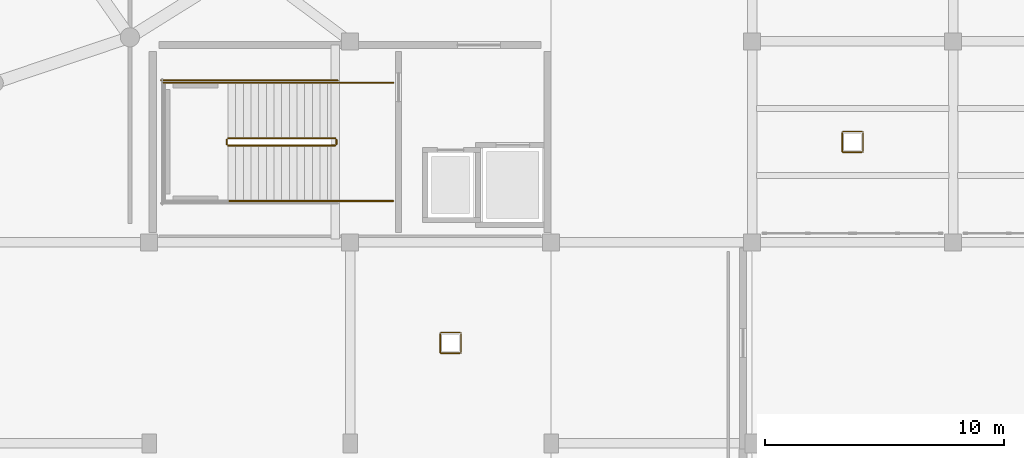
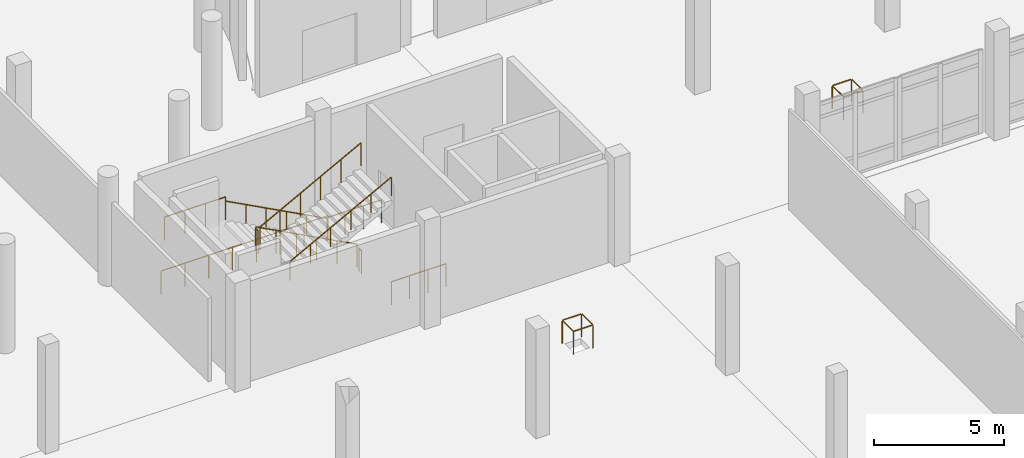
# One storey, part 58 of 64: 12 railings.
"""IFC4 building model written with IfcOpenShell, lengths in metres."""

from ifc_helpers import new_model, si_unit, derived_unit, direction, frame, origin, origin_2d, place, context, subcontext, project, spatial, circle, extrude, material, type_object, element, save


model = new_model("IFC4")

# Units and contexts
model_context = context("Model", 3, precision=1e-05, world=origin(), true_north=direction((0.0, 1.0)))
body_context = subcontext(model_context, "Body", "Model", "MODEL_VIEW")
ifc_project = project(units=[si_unit("LENGTHUNIT", "METRE"), si_unit("AREAUNIT", "SQUARE_METRE"), si_unit("VOLUMEUNIT", "CUBIC_METRE"), si_unit("PLANEANGLEUNIT", "RADIAN"), si_unit("MASSUNIT", "GRAM", prefix="KILO"), derived_unit("THERMALTRANSMITTANCEUNIT", [(si_unit("POWERUNIT", "WATT"), 1), (si_unit("LENGTHUNIT", "METRE"), -2), (si_unit("THERMODYNAMICTEMPERATUREUNIT", "KELVIN"), -1)])], contexts=[model_context])

# Site, building, storey
site_placement = place(None, origin())
site = spatial("IfcSite", under=ifc_project, at=site_placement, CompositionType="ELEMENT")
building_placement = place(site_placement, origin())
building = spatial("IfcBuilding", under=site, at=building_placement, Name="Elbkamm Science Centre", CompositionType="ELEMENT")
storey_placement = place(building_placement, origin())
storey = spatial("IfcBuildingStorey", under=building, at=storey_placement, Name="L00", CompositionType="ELEMENT", Elevation=0.0)

# Railings
ifc_material = material(Name="Stainless steel EN 1.4401", Category="steel")
railing_type_1 = type_object("IfcRailingType", Name="RAIL-GUARD-1100", PredefinedType="GUARDRAIL", material=ifc_material)
railing_1_placement = place(storey_placement, frame((83.3798828125, 46.35009765625, 0.169921875)))
element("IfcRailing", 1, at=railing_1_placement, inside=storey, type_object=railing_type_1, Name="L00 ST-C2 stair guard 1", PredefinedType="GUARDRAIL", context=body_context, shape_type="SweptSolid", body=[
    extrude(circle(Radius=0.02392578125, at=origin_2d()), frame((0.0, 0.0, 1.078125), z_axis=(-0.883104503341, 0.0, 0.469176338042), x_axis=(0.0, -1.0, 0.0)), (0.0, 0.0, 1.0), 5.072998046875),
    extrude(circle(Radius=0.02001953125, at=origin_2d()), origin(), (0.0, 0.0, 1.0), 1.048095703125),
    extrude(circle(Radius=0.02001953125, at=origin_2d()), frame((-0.89599609375, 0.0, 0.47607421875)), (0.0, 0.0, 1.0), 1.048095703125),
    extrude(circle(Radius=0.02001953125, at=origin_2d()), frame((-1.7919921875, 0.0, 0.9521484375)), (0.0, 0.0, 1.0), 1.048095703125),
    extrude(circle(Radius=0.02001953125, at=origin_2d()), frame((-2.68798828125, 0.0, 1.427978515625)), (0.0, 0.0, 1.0), 1.048095703125),
    extrude(circle(Radius=0.02001953125, at=origin_2d()), frame((-3.583984375, 0.0, 1.904052734375)), (0.0, 0.0, 1.0), 1.048095703125),
    extrude(circle(Radius=0.02001953125, at=origin_2d()), frame((-4.47998046875, 0.0, 2.380126953125)), (0.0, 0.0, 1.0), 1.048095703125),
])
railing_2_placement = place(storey_placement, frame((78.85009765625, 46.300048828125, 2.550048828125)))
element("IfcRailing", 2, at=railing_2_placement, inside=storey, type_object=railing_type_1, Name="L00 ST-C2 stair guard 2", PredefinedType="GUARDRAIL", context=body_context, shape_type="SweptSolid", body=[
    extrude(circle(Radius=0.02392578125, at=origin_2d()), frame((0.0, 0.0, 1.078125), z_axis=(0.0, -1.0, 0.0), x_axis=(1.0, 0.0, 0.0)), (0.0, 0.0, 1.0), 0.199951171875),
    extrude(circle(Radius=0.02001953125, at=origin_2d()), origin(), (0.0, 0.0, 1.0), 1.048095703125),
    extrude(circle(Radius=0.02001953125, at=origin_2d()), frame((0.0, -0.199951171875, 0.0)), (0.0, 0.0, 1.0), 1.048095703125),
])
railing_3_placement = place(storey_placement, frame((78.89990234375, 48.669921875, 2.550048828125)))
element("IfcRailing", 3, at=railing_3_placement, inside=storey, type_object=railing_type_1, Name="L00 ST-C2 stair guard 3", PredefinedType="GUARDRAIL", context=body_context, shape_type="SweptSolid", body=[
    extrude(circle(Radius=0.02392578125, at=origin_2d()), frame((0.0, 0.0, 1.078125), z_axis=(-1.0, 0.0, 0.0), x_axis=(0.0, -1.0, 0.0)), (0.0, 0.0, 1.0), 2.699951171875),
    extrude(circle(Radius=0.02001953125, at=origin_2d()), origin(), (0.0, 0.0, 1.0), 1.048095703125),
    extrude(circle(Radius=0.02001953125, at=origin_2d()), frame((-0.89990234375, 0.0, 0.0)), (0.0, 0.0, 1.0), 1.048095703125),
    extrude(circle(Radius=0.02001953125, at=origin_2d()), frame((-1.800048828125, 0.0, 0.0)), (0.0, 0.0, 1.0), 1.048095703125),
    extrude(circle(Radius=0.02001953125, at=origin_2d()), frame((-2.699951171875, 0.0, 0.0)), (0.0, 0.0, 1.0), 1.048095703125),
])
railing_4_placement = place(storey_placement, frame((78.89990234375, 46.050048828125, 2.719970703125)))
element("IfcRailing", 4, at=railing_4_placement, inside=storey, type_object=railing_type_1, Name="L00 ST-C2 stair guard 6", PredefinedType="GUARDRAIL", context=body_context, shape_type="SweptSolid", body=[
    extrude(circle(Radius=0.02392578125, at=origin_2d()), frame((0.0, 0.0, 1.078125), z_axis=(0.883104503341, 0.0, 0.469176338042), x_axis=(0.0, 1.0, 0.0)), (0.0, 0.0, 1.0), 5.072998046875),
    extrude(circle(Radius=0.02001953125, at=origin_2d()), origin(), (0.0, 0.0, 1.0), 1.048095703125),
    extrude(circle(Radius=0.02001953125, at=origin_2d()), frame((0.89599609375, 0.0, 0.47607421875)), (0.0, 0.0, 1.0), 1.048095703125),
    extrude(circle(Radius=0.02001953125, at=origin_2d()), frame((1.7919921875, 0.0, 0.9521484375)), (0.0, 0.0, 1.0), 1.048095703125),
    extrude(circle(Radius=0.02001953125, at=origin_2d()), frame((2.68798828125, 0.0, 1.427978515625)), (0.0, 0.0, 1.0), 1.048095703125),
    extrude(circle(Radius=0.02001953125, at=origin_2d()), frame((3.583984375, 0.0, 1.904052734375)), (0.0, 0.0, 1.0), 1.048095703125),
    extrude(circle(Radius=0.02001953125, at=origin_2d()), frame((4.47998046875, 0.0, 2.380126953125)), (0.0, 0.0, 1.0), 1.048095703125),
])
railing_5_placement = place(storey_placement, frame((83.429931640625, 46.300048828125, 0.0)))
element("IfcRailing", 5, at=railing_5_placement, inside=storey, type_object=railing_type_1, Name="L00 ST-C2 stair guard 7", PredefinedType="GUARDRAIL", context=body_context, shape_type="SweptSolid", body=[
    extrude(circle(Radius=0.02392578125, at=origin_2d()), frame((0.0, 0.0, 1.078125), z_axis=(0.0, -1.0, 0.0), x_axis=(1.0, 0.0, 0.0)), (0.0, 0.0, 1.0), 0.199951171875),
    extrude(circle(Radius=0.02001953125, at=origin_2d()), origin(), (0.0, 0.0, 1.0), 1.048095703125),
    extrude(circle(Radius=0.02001953125, at=origin_2d()), frame((0.0, -0.199951171875, 0.0)), (0.0, 0.0, 1.0), 1.048095703125),
])
for number, where, name in (
    (6, (85.800048828125, 48.669921875, 0.0), "L00 ST-C2 stair guard 8"),
    (7, (85.800048828125, 43.72998046875, 0.0), "L00 ST-C2 stair guard 9"),
):
    element("IfcRailing", number, at=place(storey_placement, frame(where)), inside=storey, type_object=railing_type_1, Name=name, PredefinedType="GUARDRAIL", context=body_context, shape_type="SweptSolid", body=[
        extrude(circle(Radius=0.02392578125, at=origin_2d()), frame((0.0, 0.0, 1.078125), z_axis=(-1.0, 0.0, 0.0), x_axis=(0.0, -1.0, 0.0)), (0.0, 0.0, 1.0), 2.420166015625),
        extrude(circle(Radius=0.02001953125, at=origin_2d()), origin(), (0.0, 0.0, 1.0), 1.048095703125),
        extrude(circle(Radius=0.02001953125, at=origin_2d()), frame((-0.806640625, 0.0, 0.0)), (0.0, 0.0, 1.0), 1.048095703125),
        extrude(circle(Radius=0.02001953125, at=origin_2d()), frame((-1.613525390625, 0.0, 0.0)), (0.0, 0.0, 1.0), 1.048095703125),
        extrude(circle(Radius=0.02001953125, at=origin_2d()), frame((-2.420166015625, 0.0, 0.0)), (0.0, 0.0, 1.0), 1.048095703125),
    ])
railing_6_placement = place(storey_placement, frame((83.47998046875, 48.77001953125, 0.0)))
element("IfcRailing", 8, at=railing_6_placement, inside=storey, type_object=railing_type_1, Name="L00 ST-C2 stair guard 10", PredefinedType="GUARDRAIL", context=body_context, shape_type="SweptSolid", body=[
    extrude(circle(Radius=0.02392578125, at=origin_2d()), frame((0.0, 0.0, 1.078125), z_axis=(-1.0, 0.0, 0.0), x_axis=(0.0, -1.0, 0.0)), (0.0, 0.0, 1.0), 7.3798828125),
    extrude(circle(Radius=0.02001953125, at=origin_2d()), origin(), (0.0, 0.0, 1.0), 1.048095703125),
    extrude(circle(Radius=0.02001953125, at=origin_2d()), frame((-1.05419921875, 0.0, 0.0)), (0.0, 0.0, 1.0), 1.048095703125),
    extrude(circle(Radius=0.02001953125, at=origin_2d()), frame((-2.108642578125, 0.0, 0.0)), (0.0, 0.0, 1.0), 1.048095703125),
    extrude(circle(Radius=0.02001953125, at=origin_2d()), frame((-3.162841796875, 0.0, 0.0)), (0.0, 0.0, 1.0), 1.048095703125),
    extrude(circle(Radius=0.02001953125, at=origin_2d()), frame((-4.217041015625, 0.0, 0.0)), (0.0, 0.0, 1.0), 1.048095703125),
    extrude(circle(Radius=0.02001953125, at=origin_2d()), frame((-5.271240234375, 0.0, 0.0)), (0.0, 0.0, 1.0), 1.048095703125),
    extrude(circle(Radius=0.02001953125, at=origin_2d()), frame((-6.32568359375, 0.0, 0.0)), (0.0, 0.0, 1.0), 1.048095703125),
    extrude(circle(Radius=0.02001953125, at=origin_2d()), frame((-7.3798828125, 0.0, 0.0)), (0.0, 0.0, 1.0), 1.048095703125),
])
for number, where, name in (
    (9, (87.77001953125, 37.3701171875, 0.0), "L00 Service Riser Opening Guardrail 002"),
    (10, (104.570068359375, 45.77001953125, 0.0), "L00 Service Riser Opening Guardrail 004"),
):
    element("IfcRailing", number, at=place(storey_placement, frame(where)), inside=storey, type_object=railing_type_1, Name=name, PredefinedType="GUARDRAIL", context=body_context, shape_type="SweptSolid", body=[
        extrude(circle(Radius=0.02392578125, at=origin_2d()), frame((0.0, 0.0, 1.078125), z_axis=(1.0, 0.0, 0.0), x_axis=(0.0, 1.0, 0.0)), (0.0, 0.0, 1.0), 0.829833984375),
        extrude(circle(Radius=0.02392578125, at=origin_2d()), frame((0.85986328125, 0.030029296875, 1.078125), z_axis=(0.0, 1.0, 0.0), x_axis=(-1.0, 0.0, 0.0)), (0.0, 0.0, 1.0), 0.7998046875),
        extrude(circle(Radius=0.02392578125, at=origin_2d()), frame((0.829833984375, 0.85986328125, 1.078125), z_axis=(-1.0, 0.0, 0.0), x_axis=(0.0, -1.0, 0.0)), (0.0, 0.0, 1.0), 0.7998046875),
        extrude(circle(Radius=0.02392578125, at=origin_2d()), frame((0.0, 0.829833984375, 1.078125), z_axis=(0.0, -1.0, 0.0), x_axis=(1.0, 0.0, 0.0)), (0.0, 0.0, 1.0), 0.829833984375),
        extrude(circle(Radius=0.02001953125, at=origin_2d()), origin(), (0.0, 0.0, 1.0), 1.048095703125),
        extrude(circle(Radius=0.02001953125, at=origin_2d()), frame((0.85986328125, 0.0, 0.0)), (0.0, 0.0, 1.0), 1.048095703125),
        extrude(circle(Radius=0.02001953125, at=origin_2d()), frame((0.85986328125, 0.85986328125, 0.0)), (0.0, 0.0, 1.0), 1.048095703125),
        extrude(circle(Radius=0.02001953125, at=origin_2d()), frame((0.0, 0.85986328125, 0.0)), (0.0, 0.0, 1.0), 1.048095703125),
    ])
railing_type_2 = type_object("IfcRailingType", Name="RAIL-HAND-900", PredefinedType="HANDRAIL", material=ifc_material)
railing_7_placement = place(storey_placement, frame((83.3798828125, 48.669921875, 0.169921875)))
element("IfcRailing", 11, at=railing_7_placement, inside=storey, type_object=railing_type_2, Name="L00 ST-C2 stair handrail 1", PredefinedType="HANDRAIL", context=body_context, shape_type="SweptSolid", body=[
    extrude(circle(Radius=0.02392578125, at=origin_2d()), frame((0.0, 0.0, 0.8779296875), z_axis=(-0.883104503341, 0.0, 0.469176338042), x_axis=(0.0, -1.0, 0.0)), (0.0, 0.0, 1.0), 5.072998046875),
    extrude(circle(Radius=0.02001953125, at=origin_2d()), origin(), (0.0, 0.0, 1.0), 0.847900390625),
    extrude(circle(Radius=0.02001953125, at=origin_2d()), frame((-0.89599609375, 0.0, 0.47607421875)), (0.0, 0.0, 1.0), 0.847900390625),
    extrude(circle(Radius=0.02001953125, at=origin_2d()), frame((-1.7919921875, 0.0, 0.9521484375)), (0.0, 0.0, 1.0), 0.847900390625),
    extrude(circle(Radius=0.02001953125, at=origin_2d()), frame((-2.68798828125, 0.0, 1.427978515625)), (0.0, 0.0, 1.0), 0.847900390625),
    extrude(circle(Radius=0.02001953125, at=origin_2d()), frame((-3.583984375, 0.0, 1.904052734375)), (0.0, 0.0, 1.0), 0.847900390625),
    extrude(circle(Radius=0.02001953125, at=origin_2d()), frame((-4.47998046875, 0.0, 2.380126953125)), (0.0, 0.0, 1.0), 0.847900390625),
])
railing_8_placement = place(storey_placement, frame((78.89990234375, 43.72998046875, 2.719970703125)))
element("IfcRailing", 12, at=railing_8_placement, inside=storey, type_object=railing_type_2, Name="L00 ST-C2 stair handrail 2", PredefinedType="HANDRAIL", context=body_context, shape_type="SweptSolid", body=[
    extrude(circle(Radius=0.02392578125, at=origin_2d()), frame((0.0, 0.0, 0.8779296875), z_axis=(0.883104503341, 0.0, 0.469176338042), x_axis=(0.0, 1.0, 0.0)), (0.0, 0.0, 1.0), 5.072998046875),
    extrude(circle(Radius=0.02001953125, at=origin_2d()), origin(), (0.0, 0.0, 1.0), 0.847900390625),
    extrude(circle(Radius=0.02001953125, at=origin_2d()), frame((0.89599609375, 0.0, 0.47607421875)), (0.0, 0.0, 1.0), 0.847900390625),
    extrude(circle(Radius=0.02001953125, at=origin_2d()), frame((1.7919921875, 0.0, 0.9521484375)), (0.0, 0.0, 1.0), 0.847900390625),
    extrude(circle(Radius=0.02001953125, at=origin_2d()), frame((2.68798828125, 0.0, 1.427978515625)), (0.0, 0.0, 1.0), 0.847900390625),
    extrude(circle(Radius=0.02001953125, at=origin_2d()), frame((3.583984375, 0.0, 1.904052734375)), (0.0, 0.0, 1.0), 0.847900390625),
    extrude(circle(Radius=0.02001953125, at=origin_2d()), frame((4.47998046875, 0.0, 2.380126953125)), (0.0, 0.0, 1.0), 0.847900390625),
])

save(model, "model.ifc")
